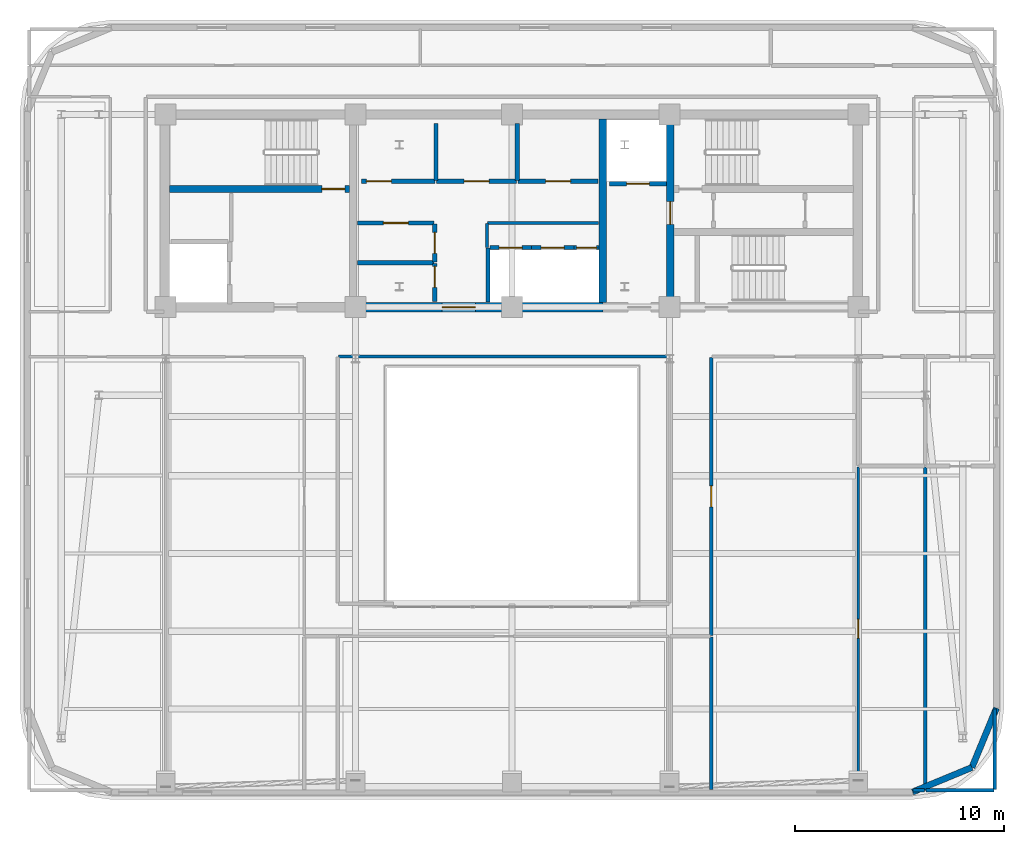
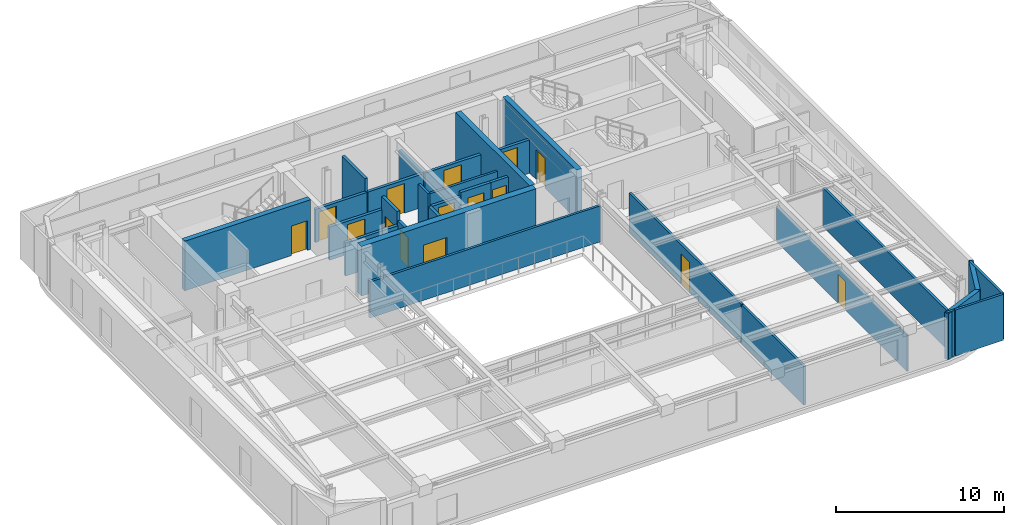
# One storey, part 7 of 13: 30 walls, 15 doors, 15 openings.
"""IFC4 building model written with IfcOpenShell, lengths in metres."""

from ifc_helpers import new_model, si_unit, direction, frame, frame_2d, origin, place, context, subcontext, project, spatial, rectangle, extrude, material, layer, layer_set, type_object, element, fill, save


model = new_model("IFC4")

# Units and contexts
model_context = context("Model", 3, precision=1e-05, world=origin(), true_north=direction((0.0, 1.0)))
body_context = subcontext(model_context, "Body", "Model", "MODEL_VIEW")
ifc_project = project(units=[si_unit("LENGTHUNIT", "METRE"), si_unit("AREAUNIT", "SQUARE_METRE"), si_unit("VOLUMEUNIT", "CUBIC_METRE"), si_unit("PLANEANGLEUNIT", "RADIAN"), si_unit("MASSUNIT", "GRAM", prefix="KILO")], contexts=[model_context])

# Site, building, storey
site_placement = place(None, origin())
site = spatial("IfcSite", under=ifc_project, at=site_placement, CompositionType="ELEMENT")
building_placement = place(site_placement, origin())
building = spatial("IfcBuilding", under=site, at=building_placement, Name="Zarnavel Station Tower", CompositionType="ELEMENT")
storey_placement = place(building_placement, frame((0.0, 0.0, 232.800048828125)))
storey = spatial("IfcBuildingStorey", under=building, at=storey_placement, Name="L63", CompositionType="ELEMENT", Elevation=232.800048828125)

# Wall
ifc_material_1 = material(Name="Concrete C50/60", Category="concrete")
ifc_layer_1 = layer(ifc_material_1, 0.35009765625)
ifc_layer_set_1 = layer_set([ifc_layer_1], Name="CW_350")
wall_type_1 = type_object("IfcWallType", Name="CW_350", PredefinedType="SHEAR", material=ifc_layer_set_1)
wall_1_placement = place(storey_placement, frame((33.14990234375, 28.044921875, 0.0), z_axis=(0.0, 0.0, 1.0), x_axis=(0.0, 1.0, 0.0)))
element("IfcWall", 1, at=wall_1_placement, inside=storey, type_object=wall_type_1, Name="L63 Rear Core Shear Wall DIV-E", PredefinedType="SHEAR", context=body_context, shape_type="SweptSolid", body=[
    extrude(rectangle(XDim=8.780029296875, YDim=0.35009765625, at=frame_2d((4.39013671875, 0.0))), origin(), (0.0, 0.0, 1.0), 3.599853515625),
])

# Wall, opening, door
wall_2_placement = place(storey_placement, frame((36.3798828125, 28.044921875, 0.0), z_axis=(0.0, 0.0, 1.0), x_axis=(0.0, 1.0, 0.0)))
wall_2 = element("IfcWall", 2, at=wall_2_placement, inside=storey, type_object=wall_type_1, Name="L63 Rear Core Shear Wall DIV-S2", PredefinedType="SHEAR", context=body_context, shape_type="SweptSolid", body=[
    extrude(rectangle(XDim=8.780029296875, YDim=0.35009765625, at=frame_2d((4.39013671875, 0.0))), origin(), (0.0, 0.0, 1.0), 3.599853515625),
])
opening_1_placement = place(wall_2_placement, frame((3.735107421875, 0.0, 0.0)))
opening_1 = element("IfcOpeningElement", 3, at=opening_1_placement, cuts=wall_2, Name="Opening FD01", PredefinedType="OPENING", context=body_context, shape_type="SweptSolid", body=[
    extrude(rectangle(XDim=1.10009765625, YDim=2.14990234375, at=frame_2d((0.550048828125, 1.074951171875))), frame((0.0, 0.18505859375, 0.0), z_axis=(0.0, -1.0, 0.0), x_axis=(1.0, 0.0, 0.0)), (0.0, 0.0, 1.0), 0.3701171875),
])
ifc_material_2 = material(Name="Painted Galvanised Steel and Hardwood Leaf", Category="steel")
door_type_1 = type_object("IfcDoorType", Name="ID_STAIR_1100", OperationType="NOTDEFINED", PredefinedType="DOOR", material=ifc_material_2)
door_1_placement = place(opening_1_placement, origin())
door_1 = element("IfcDoor", 4, at=door_1_placement, inside=storey, type_object=door_type_1, Name="L63 East Stair Vestibule Fire Door", OperationType="SINGLE_SWING_LEFT", OverallHeight=2.14990234375, OverallWidth=1.10009765625, PredefinedType="DOOR", context=body_context, shape_type="SweptSolid", body=[
    extrude(rectangle(XDim=1.10009765625, YDim=2.14990234375, at=frame_2d((0.550048828125, 1.074951171875))), frame((0.0, 0.02490234375, 0.0), z_axis=(0.0, -1.0, 0.0), x_axis=(1.0, 0.0, 0.0)), (0.0, 0.0, 1.0), 0.050048828125),
])
fill(opening_1, door_1)

wall_3_placement = place(storey_placement, frame((21.0048828125, 33.47998046875, 0.0), z_axis=(0.0, 0.0, 1.0), x_axis=(-1.0, 0.0, 0.0)))
wall_3 = element("IfcWall", 5, at=wall_3_placement, inside=storey, type_object=wall_type_1, Name="L63 Rear Core Shear Wall DIV-H1", PredefinedType="SHEAR", context=body_context, shape_type="SweptSolid", body=[
    extrude(rectangle(XDim=8.6298828125, YDim=0.35009765625, at=frame_2d((4.31494140625, 0.0))), origin(), (0.0, 0.0, 1.0), 3.599853515625),
])
opening_2_placement = place(wall_3_placement, frame((0.219970703125, 0.0, 0.0)))
opening_2 = element("IfcOpeningElement", 6, at=opening_2_placement, cuts=wall_3, Name="Opening FD01", PredefinedType="OPENING", context=body_context, shape_type="SweptSolid", body=[
    extrude(rectangle(XDim=1.10009765625, YDim=2.14990234375, at=frame_2d((0.550048828125, 1.074951171875))), frame((0.0, 0.18505859375, 0.0), z_axis=(0.0, -1.0, 0.0), x_axis=(1.0, 0.0, 0.0)), (0.0, 0.0, 1.0), 0.3701171875),
])
door_2_placement = place(opening_2_placement, origin())
door_2 = element("IfcDoor", 7, at=door_2_placement, inside=storey, type_object=door_type_1, Name="L63 Stair ST1 Lobby Fire Door", OperationType="SINGLE_SWING_LEFT", OverallHeight=2.14990234375, OverallWidth=1.10009765625, PredefinedType="DOOR", context=body_context, shape_type="SweptSolid", body=[
    extrude(rectangle(XDim=1.10009765625, YDim=2.14990234375, at=frame_2d((0.550048828125, 1.074951171875))), frame((0.0, 0.02490234375, 0.0), z_axis=(0.0, -1.0, 0.0), x_axis=(1.0, 0.0, 0.0)), (0.0, 0.0, 1.0), 0.050048828125),
])
fill(opening_2, door_2)

ifc_material_3 = material(Name="Concrete C50/60", Category="concrete")
ifc_layer_2 = layer(ifc_material_3, 0.449951171875)
ifc_layer_set_2 = layer_set([ifc_layer_2], Name="CW_450")
wall_type_2 = type_object("IfcWallType", Name="CW_450", PredefinedType="SHEAR", material=ifc_layer_set_2)
wall_4_placement = place(storey_placement, frame((33.14990234375, 27.820068359375, 0.0), z_axis=(0.0, 0.0, 1.0), x_axis=(-1.0, 0.0, 0.0)))
wall_4 = element("IfcWall", 8, at=wall_4_placement, inside=storey, type_object=wall_type_2, Name="L63 Rear Core Shear Wall S-M", PredefinedType="SHEAR", context=body_context, shape_type="SweptSolid", body=[
    extrude(rectangle(XDim=11.969970703125, YDim=0.449951171875, at=frame_2d((5.98486328125, 0.0))), origin(), (0.0, 0.0, 1.0), 3.599853515625),
])
opening_3_placement = place(wall_4_placement, frame((6.10009765625, 0.0, 0.0)))
opening_3 = element("IfcOpeningElement", 9, at=opening_3_placement, cuts=wall_4, Name="Opening ID03", PredefinedType="OPENING", context=body_context, shape_type="SweptSolid", body=[
    extrude(rectangle(XDim=1.60009765625, YDim=2.199951171875, at=frame_2d((0.800048828125, 1.10009765625))), frame((0.0, 0.23486328125, 0.0), z_axis=(0.0, -1.0, 0.0), x_axis=(1.0, 0.0, 0.0)), (0.0, 0.0, 1.0), 0.469970703125),
])
ifc_material_4 = material(Name="Painted Galvanised Steel and Hardwood Leaf", Category="steel")
door_type_2 = type_object("IfcDoorType", Name="ID_PUBLIC_1600", OperationType="DOUBLE_DOOR_SINGLE_SWING", PredefinedType="DOOR", material=ifc_material_4)
door_3_placement = place(opening_3_placement, origin())
door_3 = element("IfcDoor", 10, at=door_3_placement, inside=storey, type_object=door_type_2, Name="L63 Passenger Lift Lobby Double Door", OperationType="SINGLE_SWING_LEFT", OverallHeight=2.199951171875, OverallWidth=1.60009765625, PredefinedType="DOOR", context=body_context, shape_type="SweptSolid", body=[
    extrude(rectangle(XDim=1.60009765625, YDim=2.199951171875, at=frame_2d((0.800048828125, 1.10009765625))), frame((0.0, 0.02490234375, 0.0), z_axis=(0.0, -1.0, 0.0), x_axis=(1.0, 0.0, 0.0)), (0.0, 0.0, 1.0), 0.050048828125),
])
fill(opening_3, door_3)

# Walls
ifc_material_5 = material(Name="Precast concrete C45/55 (Dark Basalt Finish)", Category="masonry")
ifc_layer_3 = layer(ifc_material_5, 0.300048828125)
ifc_layer_set_3 = layer_set([ifc_layer_3], Name="EW_BASALT_300")
wall_type_3 = type_object("IfcWallType", Name="EW_BASALT_300", PredefinedType="SOLIDWALL", material=ifc_layer_set_3)
wall_5_placement = place(storey_placement, frame((50.842529296875, 5.75732421875, 0.0), z_axis=(0.0, 0.0, 1.0), x_axis=(-0.92389884758, -0.382636798336, 0.0)))
element("IfcWall", 11, at=wall_5_placement, inside=storey, type_object=wall_type_3, Name="L63 Exterior Basalt Masonry Frame Wall 01", PredefinedType="SOLIDWALL", context=body_context, shape_type="SweptSolid", body=[
    extrude(rectangle(XDim=3.07666015625, YDim=0.300048828125, at=frame_2d((1.538330078125, 0.0))), origin(), (0.0, 0.0, 1.0), 3.33984375),
])
wall_6_placement = place(storey_placement, frame((52.02001953125, 8.60009765625, 0.0), z_axis=(0.0, 0.0, 1.0), x_axis=(-0.382676475685, -0.923882414032, 0.0)))
element("IfcWall", 12, at=wall_6_placement, inside=storey, type_object=wall_type_3, Name="L63 Exterior Basalt Masonry Frame Wall 02", PredefinedType="SOLIDWALL", context=body_context, shape_type="SweptSolid", body=[
    extrude(rectangle(XDim=3.076904296875, YDim=0.300048828125, at=frame_2d((1.53857421875, 0.0))), origin(), (0.0, 0.0, 1.0), 3.33984375),
])

# Wall, opening, door
ifc_material_6 = material(Name="Gypsum Twin-Stud Acoustic Fire Partition", Category="concrete")
ifc_layer_4 = layer(ifc_material_6, 0.159912109375)
ifc_layer_set_4 = layer_set([ifc_layer_4], Name="PT_DEMISE_160")
wall_type_4 = type_object("IfcWallType", Name="PT_DEMISE_160", PredefinedType="PARTITIONING", material=ifc_layer_set_4)
wall_7_placement = place(storey_placement, frame((38.35009765625, 12.090087890625, 0.0), z_axis=(0.0, 0.0, 1.0), x_axis=(0.0, 1.0, 0.0)))
wall_7 = element("IfcWall", 13, at=wall_7_placement, inside=storey, type_object=wall_type_4, Name="L63 Partition COR-AE-L63SPA", PredefinedType="PARTITIONING", context=body_context, shape_type="SweptSolid", body=[
    extrude(rectangle(XDim=13.31982421875, YDim=0.159912109375, at=frame_2d((6.659912109375, 0.0))), origin(), (0.0, 0.0, 1.0), 2.829833984375),
])
opening_4_placement = place(wall_7_placement, frame((6.159912109375, 0.0, 0.0)))
opening_4 = element("IfcOpeningElement", 14, at=opening_4_placement, cuts=wall_7, Name="Opening FD02", PredefinedType="OPENING", context=body_context, shape_type="SweptSolid", body=[
    extrude(rectangle(XDim=1.0, YDim=2.14990234375, at=frame_2d((0.5, 1.074951171875))), frame((0.0, 0.08984375, 0.0), z_axis=(0.0, -1.0, 0.0), x_axis=(1.0, 0.0, 0.0)), (0.0, 0.0, 1.0), 0.179931640625),
])
ifc_material_7 = material(Name="Painted Galvanised Steel and Hardwood Leaf", Category="steel")
door_type_3 = type_object("IfcDoorType", Name="ID_ENTRY_1000", OperationType="NOTDEFINED", PredefinedType="DOOR", material=ifc_material_7)
door_4_placement = place(opening_4_placement, origin())
door_4 = element("IfcDoor", 15, at=door_4_placement, inside=storey, type_object=door_type_3, Name="L63 Door COR-AE-L63SPA", OperationType="SINGLE_SWING_LEFT", OverallHeight=2.14990234375, OverallWidth=1.0, PredefinedType="DOOR", context=body_context, shape_type="SweptSolid", body=[
    extrude(rectangle(XDim=1.0, YDim=2.14990234375, at=frame_2d((0.5, 1.074951171875))), frame((0.0, 0.02490234375, 0.0), z_axis=(0.0, -1.0, 0.0), x_axis=(1.0, 0.0, 0.0)), (0.0, 0.0, 1.0), 0.050048828125),
])
fill(opening_4, door_4)

# Walls
wall_8_placement = place(storey_placement, frame((48.60009765625, 4.659912109375, 0.0), z_axis=(0.0, 0.0, 1.0), x_axis=(0.0, 1.0, 0.0)))
element("IfcWall", 16, at=wall_8_placement, inside=storey, type_object=wall_type_4, Name="L63 Partition L63LIN-L63STR", PredefinedType="PARTITIONING", context=body_context, shape_type="SweptSolid", body=[
    extrude(rectangle(XDim=15.5, YDim=0.159912109375, at=frame_2d((7.75, 0.0))), origin(), (0.0, 0.0, 1.0), 2.820068359375),
])
wall_9_placement = place(storey_placement, frame((27.6298828125, 31.85009765625, 0.0), z_axis=(0.0, 0.0, 1.0), x_axis=(1.0, 0.0, 0.0)))
element("IfcWall", 17, at=wall_9_placement, inside=storey, type_object=wall_type_4, Name="L63 Enclosure Wall LLOB", PredefinedType="PARTITIONING", context=body_context, shape_type="SweptSolid", body=[
    extrude(rectangle(XDim=5.31005859375, YDim=0.159912109375, at=frame_2d((2.655029296875, 0.0))), origin(), (0.0, 0.0, 1.0), 2.409912109375),
])
wall_10_placement = place(storey_placement, frame((27.60009765625, 30.679931640625, 0.0), z_axis=(0.0, 0.0, 1.0), x_axis=(0.0, 1.0, 0.0)))
element("IfcWall", 18, at=wall_10_placement, inside=storey, type_object=wall_type_4, Name="L63 Enclosure Wall LLOBS", PredefinedType="PARTITIONING", context=body_context, shape_type="SweptSolid", body=[
    extrude(rectangle(XDim=1.14013671875, YDim=0.159912109375, at=frame_2d((0.570068359375, 0.0))), origin(), (0.0, 0.0, 1.0), 3.33984375),
])
wall_11_placement = place(storey_placement, frame((20.47998046875, 25.449951171875, 0.0), z_axis=(0.0, 0.0, 1.0), x_axis=(1.0, 0.0, 0.0)))
element("IfcWall", 19, at=wall_11_placement, inside=storey, type_object=wall_type_4, Name="L63 Enclosure Wall COR-S", PredefinedType="PARTITIONING", context=body_context, shape_type="SweptSolid", body=[
    extrude(rectangle(XDim=15.840087890625, YDim=0.159912109375, at=frame_2d((7.919921875, 0.0))), origin(), (0.0, 0.0, 1.0), 2.619873046875),
])
wall_12_placement = place(storey_placement, frame((38.35009765625, 4.68994140625, 0.0), z_axis=(0.0, 0.0, 1.0), x_axis=(0.0, 1.0, 0.0)))
element("IfcWall", 20, at=wall_12_placement, inside=storey, type_object=wall_type_4, Name="L63 Enclosure Wall L63SPA", PredefinedType="PARTITIONING", context=body_context, shape_type="SweptSolid", body=[
    extrude(rectangle(XDim=7.330078125, YDim=0.159912109375, at=frame_2d((3.6650390625, 0.0))), origin(), (0.0, 0.0, 1.0), 2.829833984375),
])
wall_13_placement = place(storey_placement, frame((48.030029296875, 4.659912109375, 0.0), z_axis=(0.0, 0.0, 1.0), x_axis=(1.0, 0.0, 0.0)))
element("IfcWall", 21, at=wall_13_placement, inside=storey, type_object=wall_type_4, Name="L63 Enclosure Wall L63LIN", PredefinedType="PARTITIONING", context=body_context, shape_type="SweptSolid", body=[
    extrude(rectangle(XDim=0.5400390625, YDim=0.159912109375, at=frame_2d((0.27001953125, 0.0))), origin(), (0.0, 0.0, 1.0), 3.33984375),
])
wall_14_placement = place(storey_placement, frame((48.6298828125, 4.659912109375, 0.0), z_axis=(0.0, 0.0, 1.0), x_axis=(1.0, 0.0, 0.0)))
element("IfcWall", 22, at=wall_14_placement, inside=storey, type_object=wall_type_4, Name="L63 Enclosure Wall L63STR", PredefinedType="PARTITIONING", context=body_context, shape_type="SweptSolid", body=[
    extrude(rectangle(XDim=3.280029296875, YDim=0.159912109375, at=frame_2d((1.64013671875, 0.0))), origin(), (0.0, 0.0, 1.0), 3.33984375),
])
wall_15_placement = place(storey_placement, frame((51.93994140625, 4.68994140625, 0.0), z_axis=(0.0, 0.0, 1.0), x_axis=(0.0, 1.0, 0.0)))
element("IfcWall", 23, at=wall_15_placement, inside=storey, type_object=wall_type_4, Name="L63 Enclosure Wall L63STR", PredefinedType="PARTITIONING", context=body_context, shape_type="SweptSolid", body=[
    extrude(rectangle(XDim=3.880126953125, YDim=0.159912109375, at=frame_2d((1.93994140625, 0.0))), origin(), (0.0, 0.0, 1.0), 3.33984375),
])

# Wall, opening, door
ifc_material_8 = material(Name="Gypsum Metal-Stud Interior Partition", Category="concrete")
ifc_layer_5 = layer(ifc_material_8, 0.1201171875)
ifc_layer_set_5 = layer_set([ifc_layer_5], Name="PT_ROOM_120")
wall_type_5 = type_object("IfcWallType", Name="PT_ROOM_120", PredefinedType="PARTITIONING", material=ifc_layer_set_5)
wall_16_placement = place(storey_placement, frame((45.39990234375, 4.659912109375, 0.0), z_axis=(0.0, 0.0, 1.0), x_axis=(0.0, 1.0, 0.0)))
wall_16 = element("IfcWall", 24, at=wall_16_placement, inside=storey, type_object=wall_type_5, Name="L63 Partition L63SPA-L63LIN", PredefinedType="PARTITIONING", context=body_context, shape_type="SweptSolid", body=[
    extrude(rectangle(XDim=15.5, YDim=0.1201171875, at=frame_2d((7.75, 0.0))), origin(), (0.0, 0.0, 1.0), 2.619873046875),
])
opening_5_placement = place(wall_16_placement, frame((7.300048828125, 0.0, 0.0)))
opening_5 = element("IfcOpeningElement", 25, at=opening_5_placement, cuts=wall_16, Name="Opening ID01", PredefinedType="OPENING", context=body_context, shape_type="SweptSolid", body=[
    extrude(rectangle(XDim=0.89990234375, YDim=2.10009765625, at=frame_2d((0.449951171875, 1.050048828125))), frame((0.0, 0.070068359375, 0.0), z_axis=(0.0, -1.0, 0.0), x_axis=(1.0, 0.0, 0.0)), (0.0, 0.0, 1.0), 0.14013671875),
])
ifc_material_9 = material(Name="Painted Galvanised Steel and Hardwood Leaf", Category="steel")
door_type_4 = type_object("IfcDoorType", Name="ID_ROOM_900", OperationType="NOTDEFINED", PredefinedType="DOOR", material=ifc_material_9)
door_5_placement = place(opening_5_placement, origin())
door_5 = element("IfcDoor", 26, at=door_5_placement, inside=storey, type_object=door_type_4, Name="L63 Door L63SPA-L63LIN", OperationType="SINGLE_SWING_RIGHT", OverallHeight=2.10009765625, OverallWidth=0.89990234375, PredefinedType="DOOR", context=body_context, shape_type="SweptSolid", body=[
    extrude(rectangle(XDim=0.89990234375, YDim=2.10009765625, at=frame_2d((0.449951171875, 1.050048828125))), frame((0.0, 0.02490234375, 0.0), z_axis=(0.0, -1.0, 0.0), x_axis=(1.0, 0.0, 0.0)), (0.0, 0.0, 1.0), 0.050048828125),
])
fill(opening_5, door_5)

ifc_material_10 = material(Name="Precast concrete C45/55 (Fire Shaft Blockwork)", Category="masonry")
ifc_layer_6 = layer(ifc_material_10, 0.199951171875)
ifc_layer_set_6 = layer_set([ifc_layer_6], Name="PT_SHAFT_200")
wall_type_6 = type_object("IfcWallType", Name="PT_SHAFT_200", PredefinedType="PARTITIONING", material=ifc_layer_set_6)
wall_17_placement = place(storey_placement, frame((33.47509765625, 33.72998046875, 0.0), z_axis=(0.0, 0.0, 1.0), x_axis=(1.0, 0.0, 0.0)))
wall_17 = element("IfcWall", 27, at=wall_17_placement, inside=storey, type_object=wall_type_6, Name="L63 Lift FFL-02 Shaft Front Wall", PredefinedType="PARTITIONING", context=body_context, shape_type="SweptSolid", body=[
    extrude(rectangle(XDim=2.724853515625, YDim=0.199951171875, at=frame_2d((1.3623046875, 0.0))), origin(), (0.0, 0.0, 1.0), 2.409912109375),
])
opening_6_placement = place(wall_17_placement, frame((0.8125, 0.0, 0.0)))
opening_6 = element("IfcOpeningElement", 28, at=opening_6_placement, cuts=wall_17, Name="Opening LD01", PredefinedType="OPENING", context=body_context, shape_type="SweptSolid", body=[
    extrude(rectangle(XDim=1.10009765625, YDim=2.14990234375, at=frame_2d((0.550048828125, 1.074951171875))), frame((0.0, 0.10986328125, 0.0), z_axis=(0.0, -1.0, 0.0), x_axis=(1.0, 0.0, 0.0)), (0.0, 0.0, 1.0), 0.219970703125),
])
ifc_material_11 = material(Name="Painted Galvanised Steel and Hardwood Leaf", Category="steel")
door_type_5 = type_object("IfcDoorType", Name="LD_FF_1100", OperationType="DOUBLE_DOOR_SLIDING", PredefinedType="DOOR", material=ifc_material_11)
door_6_placement = place(opening_6_placement, origin())
door_6 = element("IfcDoor", 29, at=door_6_placement, inside=storey, type_object=door_type_5, Name="L63 Lift FFL-02 Sliding Landing Door", OperationType="DOUBLE_DOOR_SLIDING", OverallHeight=2.14990234375, OverallWidth=1.10009765625, PredefinedType="DOOR", context=body_context, shape_type="SweptSolid", body=[
    extrude(rectangle(XDim=1.10009765625, YDim=2.14990234375, at=frame_2d((0.550048828125, 1.074951171875))), frame((0.0, 0.02490234375, 0.0), z_axis=(0.0, -1.0, 0.0), x_axis=(1.0, 0.0, 0.0)), (0.0, 0.0, 1.0), 0.050048828125),
])
fill(opening_6, door_6)

wall_18_placement = place(storey_placement, frame((27.75, 30.669921875, 0.0), z_axis=(0.0, 0.0, 1.0), x_axis=(1.0, 0.0, 0.0)))
wall_18 = element("IfcWall", 30, at=wall_18_placement, inside=storey, type_object=wall_type_6, Name="L63 Lift PL-H1 Shaft Front Wall", PredefinedType="PARTITIONING", context=body_context, shape_type="SweptSolid", body=[
    extrude(rectangle(XDim=1.97509765625, YDim=0.199951171875, at=frame_2d((0.987548828125, 0.0))), origin(), (0.0, 0.0, 1.0), 2.409912109375),
])
opening_7_placement = place(wall_18_placement, frame((0.4375, 0.0, 0.0)))
opening_7 = element("IfcOpeningElement", 31, at=opening_7_placement, cuts=wall_18, Name="Opening LD02", PredefinedType="OPENING", context=body_context, shape_type="SweptSolid", body=[
    extrude(rectangle(XDim=1.10009765625, YDim=2.14990234375, at=frame_2d((0.550048828125, 1.074951171875))), frame((0.0, 0.10986328125, 0.0), z_axis=(0.0, -1.0, 0.0), x_axis=(1.0, 0.0, 0.0)), (0.0, 0.0, 1.0), 0.219970703125),
])
ifc_material_12 = material(Name="Painted Galvanised Steel and Hardwood Leaf", Category="steel")
door_type_6 = type_object("IfcDoorType", Name="LD_PAX_1100", OperationType="DOUBLE_DOOR_SLIDING", PredefinedType="DOOR", material=ifc_material_12)
door_7_placement = place(opening_7_placement, origin())
door_7 = element("IfcDoor", 32, at=door_7_placement, inside=storey, type_object=door_type_6, Name="L63 Lift PL-H1 Sliding Landing Door", OperationType="DOUBLE_DOOR_SLIDING", OverallHeight=2.14990234375, OverallWidth=1.10009765625, PredefinedType="DOOR", context=body_context, shape_type="SweptSolid", body=[
    extrude(rectangle(XDim=1.10009765625, YDim=2.14990234375, at=frame_2d((0.550048828125, 1.074951171875))), frame((0.0, 0.02490234375, 0.0), z_axis=(0.0, -1.0, 0.0), x_axis=(1.0, 0.0, 0.0)), (0.0, 0.0, 1.0), 0.050048828125),
])
fill(opening_7, door_7)

# Wall
wall_19_placement = place(storey_placement, frame((27.64990234375, 28.070068359375, 0.0), z_axis=(0.0, 0.0, 1.0), x_axis=(0.0, 1.0, 0.0)))
element("IfcWall", 33, at=wall_19_placement, inside=storey, type_object=wall_type_6, Name="L63 High-Rise Lift Bank West Shaft Wall", PredefinedType="PARTITIONING", context=body_context, shape_type="SweptSolid", body=[
    extrude(rectangle(XDim=2.579833984375, YDim=0.199951171875, at=frame_2d((1.2900390625, 0.0))), origin(), (0.0, 0.0, 1.0), 2.409912109375),
])

# Wall, opening, door
wall_20_placement = place(storey_placement, frame((29.72509765625, 30.669921875, 0.0), z_axis=(0.0, 0.0, 1.0), x_axis=(1.0, 0.0, 0.0)))
wall_20 = element("IfcWall", 34, at=wall_20_placement, inside=storey, type_object=wall_type_6, Name="L63 Lift PL-H2 Shaft Front Wall", PredefinedType="PARTITIONING", context=body_context, shape_type="SweptSolid", body=[
    extrude(rectangle(XDim=2.0498046875, YDim=0.199951171875, at=frame_2d((1.02490234375, 0.0))), origin(), (0.0, 0.0, 1.0), 2.719970703125),
])
opening_8_placement = place(wall_20_placement, frame((0.47509765625, 0.0, 0.0)))
opening_8 = element("IfcOpeningElement", 35, at=opening_8_placement, cuts=wall_20, Name="Opening LD02", PredefinedType="OPENING", context=body_context, shape_type="SweptSolid", body=[
    extrude(rectangle(XDim=1.10009765625, YDim=2.14990234375, at=frame_2d((0.550048828125, 1.074951171875))), frame((0.0, 0.10986328125, 0.0), z_axis=(0.0, -1.0, 0.0), x_axis=(1.0, 0.0, 0.0)), (0.0, 0.0, 1.0), 0.219970703125),
])
door_8_placement = place(opening_8_placement, origin())
door_8 = element("IfcDoor", 36, at=door_8_placement, inside=storey, type_object=door_type_6, Name="L63 Lift PL-H2 Sliding Landing Door", OperationType="DOUBLE_DOOR_SLIDING", OverallHeight=2.14990234375, OverallWidth=1.10009765625, PredefinedType="DOOR", context=body_context, shape_type="SweptSolid", body=[
    extrude(rectangle(XDim=1.10009765625, YDim=2.14990234375, at=frame_2d((0.550048828125, 1.074951171875))), frame((0.0, 0.02490234375, 0.0), z_axis=(0.0, -1.0, 0.0), x_axis=(1.0, 0.0, 0.0)), (0.0, 0.0, 1.0), 0.050048828125),
])
fill(opening_8, door_8)

wall_21_placement = place(storey_placement, frame((31.77490234375, 30.669921875, 0.0), z_axis=(0.0, 0.0, 1.0), x_axis=(1.0, 0.0, 0.0)))
wall_21 = element("IfcWall", 37, at=wall_21_placement, inside=storey, type_object=wall_type_6, Name="L63 Lift PL-H3 Shaft Front Wall", PredefinedType="PARTITIONING", context=body_context, shape_type="SweptSolid", body=[
    extrude(rectangle(XDim=1.2001953125, YDim=0.199951171875, at=frame_2d((0.60009765625, 0.0))), origin(), (0.0, 0.0, 1.0), 2.719970703125),
])
opening_9_placement = place(wall_21_placement, frame((0.125, 0.0, 0.0)))
opening_9 = element("IfcOpeningElement", 38, at=opening_9_placement, cuts=wall_21, Name="Opening LD03", PredefinedType="OPENING", context=body_context, shape_type="SweptSolid", body=[
    extrude(rectangle(XDim=0.949951171875, YDim=2.14990234375, at=frame_2d((0.47509765625, 1.074951171875))), frame((0.0, 0.10986328125, 0.0), z_axis=(0.0, -1.0, 0.0), x_axis=(1.0, 0.0, 0.0)), (0.0, 0.0, 1.0), 0.219970703125),
])
ifc_material_13 = material(Name="Painted Galvanised Steel and Hardwood Leaf", Category="steel")
door_type_7 = type_object("IfcDoorType", Name="LD_PAX_0950", OperationType="DOUBLE_DOOR_SLIDING", PredefinedType="DOOR", material=ifc_material_13)
door_9_placement = place(opening_9_placement, origin())
door_9 = element("IfcDoor", 39, at=door_9_placement, inside=storey, type_object=door_type_7, Name="L63 Lift PL-H3 Sliding Landing Door", OperationType="DOUBLE_DOOR_SLIDING", OverallHeight=2.14990234375, OverallWidth=0.949951171875, PredefinedType="DOOR", context=body_context, shape_type="SweptSolid", body=[
    extrude(rectangle(XDim=0.949951171875, YDim=2.14990234375, at=frame_2d((0.47509765625, 1.074951171875))), frame((0.0, 0.02490234375, 0.0), z_axis=(0.0, -1.0, 0.0), x_axis=(1.0, 0.0, 0.0)), (0.0, 0.0, 1.0), 0.050048828125),
])
fill(opening_9, door_9)

wall_22_placement = place(storey_placement, frame((21.39990234375, 31.85009765625, 0.0), z_axis=(0.0, 0.0, 1.0), x_axis=(1.0, 0.0, 0.0)))
wall_22 = element("IfcWall", 40, at=wall_22_placement, inside=storey, type_object=wall_type_6, Name="L63 Partition LLOB-CS2", PredefinedType="PARTITIONING", context=body_context, shape_type="SweptSolid", body=[
    extrude(rectangle(XDim=3.66015625, YDim=0.199951171875, at=frame_2d((1.830078125, 0.0))), origin(), (0.0, 0.0, 1.0), 2.409912109375),
])
opening_10_placement = place(wall_22_placement, frame((1.22998046875, 0.0, 0.0)))
opening_10 = element("IfcOpeningElement", 41, at=opening_10_placement, cuts=wall_22, Name="Opening FD03", PredefinedType="OPENING", context=body_context, shape_type="SweptSolid", body=[
    extrude(rectangle(XDim=1.199951171875, YDim=2.14990234375, at=frame_2d((0.60009765625, 1.074951171875))), frame((0.0, 0.10986328125, 0.0), z_axis=(0.0, -1.0, 0.0), x_axis=(1.0, 0.0, 0.0)), (0.0, 0.0, 1.0), 0.219970703125),
])
ifc_material_14 = material(Name="Painted Galvanised Steel and Hardwood Leaf", Category="steel")
door_type_8 = type_object("IfcDoorType", Name="ID_PLANT_1200", OperationType="NOTDEFINED", PredefinedType="DOOR", material=ifc_material_14)
door_10_placement = place(opening_10_placement, origin())
door_10 = element("IfcDoor", 42, at=door_10_placement, inside=storey, type_object=door_type_8, Name="L63 Door LLOB-CS2", OperationType="SINGLE_SWING_LEFT", OverallHeight=2.14990234375, OverallWidth=1.199951171875, PredefinedType="DOOR", context=body_context, shape_type="SweptSolid", body=[
    extrude(rectangle(XDim=1.199951171875, YDim=2.14990234375, at=frame_2d((0.60009765625, 1.074951171875))), frame((0.0, 0.02490234375, 0.0), z_axis=(0.0, -1.0, 0.0), x_axis=(1.0, 0.0, 0.0)), (0.0, 0.0, 1.0), 0.050048828125),
])
fill(opening_10, door_10)

wall_23_placement = place(storey_placement, frame((25.110107421875, 33.85009765625, 0.0), z_axis=(0.0, 0.0, 1.0), x_axis=(-1.0, 0.0, 0.0)))
wall_23 = element("IfcWall", 43, at=wall_23_placement, inside=storey, type_object=wall_type_6, Name="L63 Partition LLOB-FB2A", PredefinedType="PARTITIONING", context=body_context, shape_type="SweptSolid", body=[
    extrude(rectangle(XDim=3.52001953125, YDim=0.199951171875, at=frame_2d((1.760009765625, 0.0))), origin(), (0.0, 0.0, 1.0), 2.409912109375),
])
opening_11_placement = place(wall_23_placement, frame((2.094970703125, 0.0, 0.0)))
opening_11 = element("IfcOpeningElement", 44, at=opening_11_placement, cuts=wall_23, Name="Opening FD03", PredefinedType="OPENING", context=body_context, shape_type="SweptSolid", body=[
    extrude(rectangle(XDim=1.199951171875, YDim=2.14990234375, at=frame_2d((0.60009765625, 1.074951171875))), frame((0.0, 0.10986328125, 0.0), z_axis=(0.0, -1.0, 0.0), x_axis=(1.0, 0.0, 0.0)), (0.0, 0.0, 1.0), 0.219970703125),
])
door_11_placement = place(opening_11_placement, origin())
door_11 = element("IfcDoor", 45, at=door_11_placement, inside=storey, type_object=door_type_8, Name="L63 Door LLOB-FB2A", OperationType="SINGLE_SWING_RIGHT", OverallHeight=2.14990234375, OverallWidth=1.199951171875, PredefinedType="DOOR", context=body_context, shape_type="SweptSolid", body=[
    extrude(rectangle(XDim=1.199951171875, YDim=2.14990234375, at=frame_2d((0.60009765625, 1.074951171875))), frame((0.0, 0.02490234375, 0.0), z_axis=(0.0, -1.0, 0.0), x_axis=(1.0, 0.0, 0.0)), (0.0, 0.0, 1.0), 0.050048828125),
])
fill(opening_11, door_11)

wall_24_placement = place(storey_placement, frame((25.18994140625, 33.85009765625, 0.0), z_axis=(0.0, 0.0, 1.0), x_axis=(1.0, 0.0, 0.0)))
wall_24 = element("IfcWall", 46, at=wall_24_placement, inside=storey, type_object=wall_type_6, Name="L63 Partition LLOB-FB2B", PredefinedType="PARTITIONING", context=body_context, shape_type="SweptSolid", body=[
    extrude(rectangle(XDim=3.820068359375, YDim=0.199951171875, at=frame_2d((1.91015625, 0.0))), origin(), (0.0, 0.0, 1.0), 2.409912109375),
])
opening_12_placement = place(wall_24_placement, frame((1.31005859375, 0.0, 0.0)))
opening_12 = element("IfcOpeningElement", 47, at=opening_12_placement, cuts=wall_24, Name="Opening FD03", PredefinedType="OPENING", context=body_context, shape_type="SweptSolid", body=[
    extrude(rectangle(XDim=1.199951171875, YDim=2.14990234375, at=frame_2d((0.60009765625, 1.074951171875))), frame((0.0, 0.10986328125, 0.0), z_axis=(0.0, -1.0, 0.0), x_axis=(1.0, 0.0, 0.0)), (0.0, 0.0, 1.0), 0.219970703125),
])
door_12_placement = place(opening_12_placement, origin())
door_12 = element("IfcDoor", 48, at=door_12_placement, inside=storey, type_object=door_type_8, Name="L63 Door LLOB-FB2B", OperationType="SINGLE_SWING_LEFT", OverallHeight=2.14990234375, OverallWidth=1.199951171875, PredefinedType="DOOR", context=body_context, shape_type="SweptSolid", body=[
    extrude(rectangle(XDim=1.199951171875, YDim=2.14990234375, at=frame_2d((0.60009765625, 1.074951171875))), frame((0.0, 0.02490234375, 0.0), z_axis=(0.0, -1.0, 0.0), x_axis=(1.0, 0.0, 0.0)), (0.0, 0.0, 1.0), 0.050048828125),
])
fill(opening_12, door_12)

wall_25_placement = place(storey_placement, frame((29.090087890625, 33.85009765625, 0.0), z_axis=(0.0, 0.0, 1.0), x_axis=(1.0, 0.0, 0.0)))
wall_25 = element("IfcWall", 49, at=wall_25_placement, inside=storey, type_object=wall_type_6, Name="L63 Partition LLOB-FB2C", PredefinedType="PARTITIONING", context=body_context, shape_type="SweptSolid", body=[
    extrude(rectangle(XDim=3.83984375, YDim=0.199951171875, at=frame_2d((1.919921875, 0.0))), origin(), (0.0, 0.0, 1.0), 2.409912109375),
])
opening_13_placement = place(wall_25_placement, frame((1.320068359375, 0.0, 0.0)))
opening_13 = element("IfcOpeningElement", 50, at=opening_13_placement, cuts=wall_25, Name="Opening FD03", PredefinedType="OPENING", context=body_context, shape_type="SweptSolid", body=[
    extrude(rectangle(XDim=1.199951171875, YDim=2.14990234375, at=frame_2d((0.60009765625, 1.074951171875))), frame((0.0, 0.10986328125, 0.0), z_axis=(0.0, -1.0, 0.0), x_axis=(1.0, 0.0, 0.0)), (0.0, 0.0, 1.0), 0.219970703125),
])
door_13_placement = place(opening_13_placement, origin())
door_13 = element("IfcDoor", 51, at=door_13_placement, inside=storey, type_object=door_type_8, Name="L63 Door LLOB-FB2C", OperationType="SINGLE_SWING_RIGHT", OverallHeight=2.14990234375, OverallWidth=1.199951171875, PredefinedType="DOOR", context=body_context, shape_type="SweptSolid", body=[
    extrude(rectangle(XDim=1.199951171875, YDim=2.14990234375, at=frame_2d((0.60009765625, 1.074951171875))), frame((0.0, 0.02490234375, 0.0), z_axis=(0.0, -1.0, 0.0), x_axis=(1.0, 0.0, 0.0)), (0.0, 0.0, 1.0), 0.050048828125),
])
fill(opening_13, door_13)

wall_26_placement = place(storey_placement, frame((25.10009765625, 28.090087890625, 0.0), z_axis=(0.0, 0.0, 1.0), x_axis=(0.0, 1.0, 0.0)))
wall_26 = element("IfcWall", 52, at=wall_26_placement, inside=storey, type_object=wall_type_6, Name="L63 Partition LLOBS-CS1", PredefinedType="PARTITIONING", context=body_context, shape_type="SweptSolid", body=[
    extrude(rectangle(XDim=1.81982421875, YDim=0.199951171875, at=frame_2d((0.909912109375, 0.0))), origin(), (0.0, 0.0, 1.0), 2.719970703125),
])
opening_14_placement = place(wall_26_placement, frame((0.679931640625, 0.0, 0.0)))
opening_14 = element("IfcOpeningElement", 53, at=opening_14_placement, cuts=wall_26, Name="Opening FD02", PredefinedType="OPENING", context=body_context, shape_type="SweptSolid", body=[
    extrude(rectangle(XDim=1.0, YDim=2.14990234375, at=frame_2d((0.5, 1.074951171875))), frame((0.0, 0.10986328125, 0.0), z_axis=(0.0, -1.0, 0.0), x_axis=(1.0, 0.0, 0.0)), (0.0, 0.0, 1.0), 0.219970703125),
])
door_14_placement = place(opening_14_placement, origin())
door_14 = element("IfcDoor", 54, at=door_14_placement, inside=storey, type_object=door_type_3, Name="L63 Door LLOBS-CS1", OperationType="SINGLE_SWING_LEFT", OverallHeight=2.14990234375, OverallWidth=1.0, PredefinedType="DOOR", context=body_context, shape_type="SweptSolid", body=[
    extrude(rectangle(XDim=1.0, YDim=2.14990234375, at=frame_2d((0.5, 1.074951171875))), frame((0.0, 0.02490234375, 0.0), z_axis=(0.0, -1.0, 0.0), x_axis=(1.0, 0.0, 0.0)), (0.0, 0.0, 1.0), 0.050048828125),
])
fill(opening_14, door_14)

wall_27_placement = place(storey_placement, frame((25.10009765625, 29.989990234375, 0.0), z_axis=(0.0, 0.0, 1.0), x_axis=(0.0, 1.0, 0.0)))
wall_27 = element("IfcWall", 55, at=wall_27_placement, inside=storey, type_object=wall_type_6, Name="L63 Partition LLOBS-CS2", PredefinedType="PARTITIONING", context=body_context, shape_type="SweptSolid", body=[
    extrude(rectangle(XDim=1.820068359375, YDim=0.199951171875, at=frame_2d((0.91015625, 0.0))), origin(), (0.0, 0.0, 1.0), 3.33984375),
])
opening_15_placement = place(wall_27_placement, frame((0.409912109375, 0.0, 0.0)))
opening_15 = element("IfcOpeningElement", 56, at=opening_15_placement, cuts=wall_27, Name="Opening FD02", PredefinedType="OPENING", context=body_context, shape_type="SweptSolid", body=[
    extrude(rectangle(XDim=1.0, YDim=2.14990234375, at=frame_2d((0.5, 1.074951171875))), frame((0.0, 0.10986328125, 0.0), z_axis=(0.0, -1.0, 0.0), x_axis=(1.0, 0.0, 0.0)), (0.0, 0.0, 1.0), 0.219970703125),
])
door_15_placement = place(opening_15_placement, origin())
door_15 = element("IfcDoor", 57, at=door_15_placement, inside=storey, type_object=door_type_3, Name="L63 Door LLOBS-CS2", OperationType="SINGLE_SWING_RIGHT", OverallHeight=2.14990234375, OverallWidth=1.0, PredefinedType="DOOR", context=body_context, shape_type="SweptSolid", body=[
    extrude(rectangle(XDim=1.0, YDim=2.14990234375, at=frame_2d((0.5, 1.074951171875))), frame((0.0, 0.02490234375, 0.0), z_axis=(0.0, -1.0, 0.0), x_axis=(1.0, 0.0, 0.0)), (0.0, 0.0, 1.0), 0.050048828125),
])
fill(opening_15, door_15)

# Walls
wall_28_placement = place(storey_placement, frame((21.39990234375, 29.949951171875, 0.0), z_axis=(0.0, 0.0, 1.0), x_axis=(1.0, 0.0, 0.0)))
element("IfcWall", 58, at=wall_28_placement, inside=storey, type_object=wall_type_6, Name="L63 Partition CS1-CS2", PredefinedType="PARTITIONING", context=body_context, shape_type="SweptSolid", body=[
    extrude(rectangle(XDim=3.66015625, YDim=0.199951171875, at=frame_2d((1.830078125, 0.0))), origin(), (0.0, 0.0, 1.0), 2.409912109375),
])
wall_29_placement = place(storey_placement, frame((25.14990234375, 33.889892578125, 0.0), z_axis=(0.0, 0.0, 1.0), x_axis=(0.0, 1.0, 0.0)))
element("IfcWall", 59, at=wall_29_placement, inside=storey, type_object=wall_type_6, Name="L63 Partition FB2A-FB2B", PredefinedType="PARTITIONING", context=body_context, shape_type="SweptSolid", body=[
    extrude(rectangle(XDim=2.72021484375, YDim=0.199951171875, at=frame_2d((1.360107421875, 0.0))), origin(), (0.0, 0.0, 1.0), 3.33984375),
])
wall_30_placement = place(storey_placement, frame((29.050048828125, 33.889892578125, 0.0), z_axis=(0.0, 0.0, 1.0), x_axis=(0.0, 1.0, 0.0)))
element("IfcWall", 60, at=wall_30_placement, inside=storey, type_object=wall_type_6, Name="L63 Partition FB2B-FB2C", PredefinedType="PARTITIONING", context=body_context, shape_type="SweptSolid", body=[
    extrude(rectangle(XDim=2.72021484375, YDim=0.199951171875, at=frame_2d((1.360107421875, 0.0))), origin(), (0.0, 0.0, 1.0), 2.409912109375),
])

save(model, "model.ifc")
